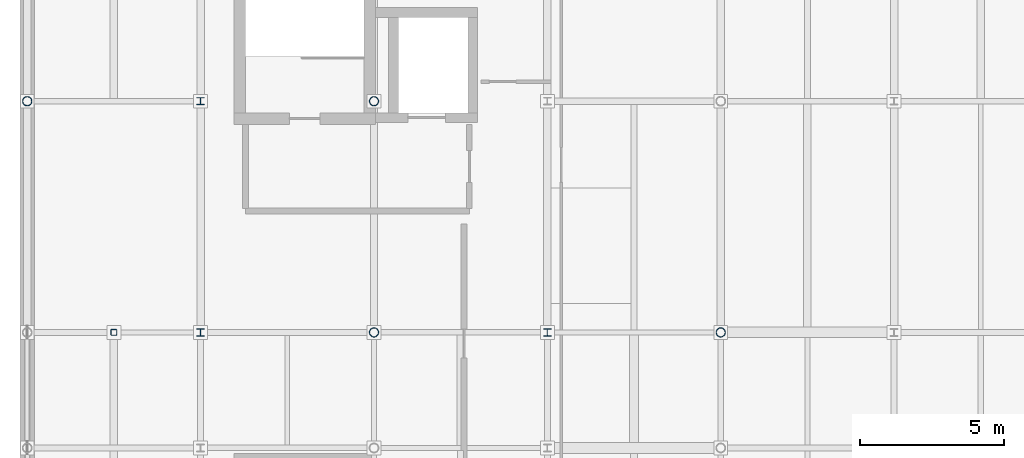
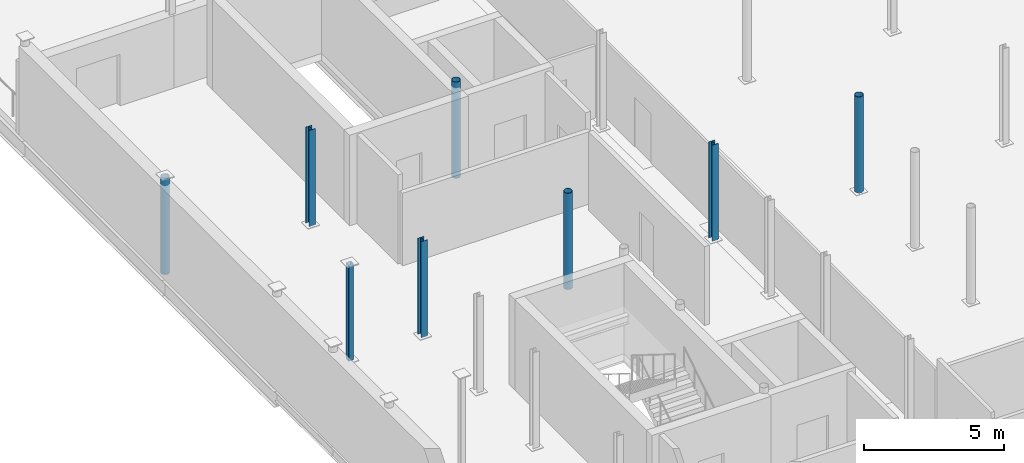
# One storey, part 7 of 30: 8 columns.
"""IFC4 building model written with IfcOpenShell, lengths in metres."""

from ifc_helpers import new_model, si_unit, direction, frame, origin, origin_2d, place, context, subcontext, project, spatial, hollow_rectangle, hollow_circle, i_section, extrude, material, material_profile, profile_set, type_object, element, save


model = new_model("IFC4")

# Units and contexts
model_context = context("Model", 3, precision=1e-05, world=origin(), true_north=direction((0.0, 1.0)))
body_context = subcontext(model_context, "Body", "Model", "MODEL_VIEW")
ifc_project = project(units=[si_unit("LENGTHUNIT", "METRE"), si_unit("AREAUNIT", "SQUARE_METRE"), si_unit("VOLUMEUNIT", "CUBIC_METRE"), si_unit("PLANEANGLEUNIT", "RADIAN"), si_unit("MASSUNIT", "GRAM", prefix="KILO")], contexts=[model_context])

# Site, building, storey
site_placement = place(None, origin())
site = spatial("IfcSite", under=ifc_project, at=site_placement, CompositionType="ELEMENT")
building_placement = place(site_placement, origin())
building = spatial("IfcBuilding", under=site, at=building_placement, Name="Verrall Gate Interchange", CompositionType="ELEMENT")
storey_placement = place(building_placement, frame((0.0, 0.0, 19.39990234375)))
storey = spatial("IfcBuildingStorey", under=building, at=storey_placement, Name="L05", CompositionType="ELEMENT", Elevation=19.39990234375)

# Columns
ifc_material_1 = material(Name="Structural Steel CSA G40.21 350W", Category="steel")
ifc_material_profile_1 = material_profile(ifc_material_1, i_section(OverallWidth=0.25390625, OverallDepth=0.2529296875, WebThickness=0.008544921875, FlangeThickness=0.01416015625, FilletRadius=0.011962890625, at=origin_2d()), Name="W250x73")
ifc_profile_set_1 = profile_set([ifc_material_profile_1], Name="Structural Steel CSA G40.21 350W")
column_type_1 = type_object("IfcColumnType", Name="C-11 Column W250x73", PredefinedType="COLUMN", material=ifc_profile_set_1)
for number, where, z_axis, x_axis, name in (
    (1, (6.0, 48.0, 0.0), (0.0, 0.0, 1.0), (1.0, 0.0, 0.0), "L05 Column COL-L05-0214 (C-11)"),
    (2, (6.0, 56.0, 0.0), (0.0, 0.0, 1.0), (1.0, 0.0, 0.0), "L05 Column COL-L05-0222 (C-11)"),
    (3, (18.0, 48.0, 0.0), (0.0, 0.0, 1.0), (1.0, 0.0, 0.0), "L05 Column COL-L05-0448 (C-11)"),
):
    element("IfcColumn", number, at=place(storey_placement, frame(where, z_axis=z_axis, x_axis=x_axis)), inside=storey, type_object=column_type_1, Name=name, PredefinedType="COLUMN", context=body_context, shape_type="SweptSolid", body=[
        extrude(i_section(OverallWidth=0.25390625, OverallDepth=0.2529296875, WebThickness=0.008544921875, FlangeThickness=0.01416015625, FilletRadius=0.011962890625, at=origin_2d()), origin(), (0.0, 0.0, 1.0), 4.2001953125),
    ])
ifc_material_2 = material(Name="Structural Steel CSA G40.21 350W", Category="steel")
ifc_material_profile_2 = material_profile(ifc_material_2, hollow_rectangle(XDim=0.202880859375, YDim=0.202880859375, WallThickness=0.009521484375, InnerFilletRadius=0.009521484375, OuterFilletRadius=0.01904296875, at=origin_2d()), Name="HSS203x203x9.5")
ifc_profile_set_2 = profile_set([ifc_material_profile_2], Name="Structural Steel CSA G40.21 350W")
column_type_2 = type_object("IfcColumnType", Name="C-14 Column HSS203x203x9.5", PredefinedType="COLUMN", material=ifc_profile_set_2)
column_placement = place(storey_placement, frame((3.0, 48.0, 0.0), z_axis=(0.0, 0.0, 1.0), x_axis=(1.0, 0.0, 0.0)))
element("IfcColumn", 4, at=column_placement, inside=storey, type_object=column_type_2, Name="L05 Column COL-L05-0128 (C-14)", PredefinedType="COLUMN", context=body_context, shape_type="SweptSolid", body=[
    extrude(hollow_rectangle(XDim=0.202880859375, YDim=0.202880859375, WallThickness=0.009521484375, InnerFilletRadius=0.009521484375, OuterFilletRadius=0.01904296875, at=origin_2d()), origin(), (0.0, 0.0, 1.0), 4.2001953125),
])
ifc_material_3 = material(Name="Structural Steel CSA G40.21 350WT Cat 4", Category="steel")
ifc_material_profile_3 = material_profile(ifc_material_3, hollow_circle(Radius=0.161865234375, WallThickness=0.0126953125, at=origin_2d()), Name="HSS324x13")
ifc_profile_set_3 = profile_set([ifc_material_profile_3], Name="Structural Steel CSA G40.21 350WT Cat 4")
column_type_3 = type_object("IfcColumnType", Name="C-15 Column HSS324x13", PredefinedType="COLUMN", material=ifc_profile_set_3)
for number, where, z_axis, x_axis, name in (
    (5, (0.0, 56.0, 0.0), (0.0, 0.0, 1.0), (1.0, 0.0, 0.0), "L05 Column COL-L05-0078 (C-15)"),
    (6, (12.0, 48.0, 0.0), (0.0, 0.0, 1.0), (1.0, 0.0, 0.0), "L05 Column COL-L05-0331 (C-15)"),
    (7, (12.0, 56.0, 0.0), (0.0, 0.0, 1.0), (1.0, 0.0, 0.0), "L05 Column COL-L05-0339 (C-15)"),
    (8, (24.0, 48.0, 0.0), (0.0, 0.0, 1.0), (1.0, 0.0, 0.0), "L05 Column COL-L05-0565 (C-15)"),
):
    element("IfcColumn", number, at=place(storey_placement, frame(where, z_axis=z_axis, x_axis=x_axis)), inside=storey, type_object=column_type_3, Name=name, PredefinedType="COLUMN", context=body_context, shape_type="SweptSolid", body=[
        extrude(hollow_circle(Radius=0.161865234375, WallThickness=0.0126953125, at=origin_2d()), origin(), (0.0, 0.0, 1.0), 4.2001953125),
    ])

save(model, "model.ifc")
